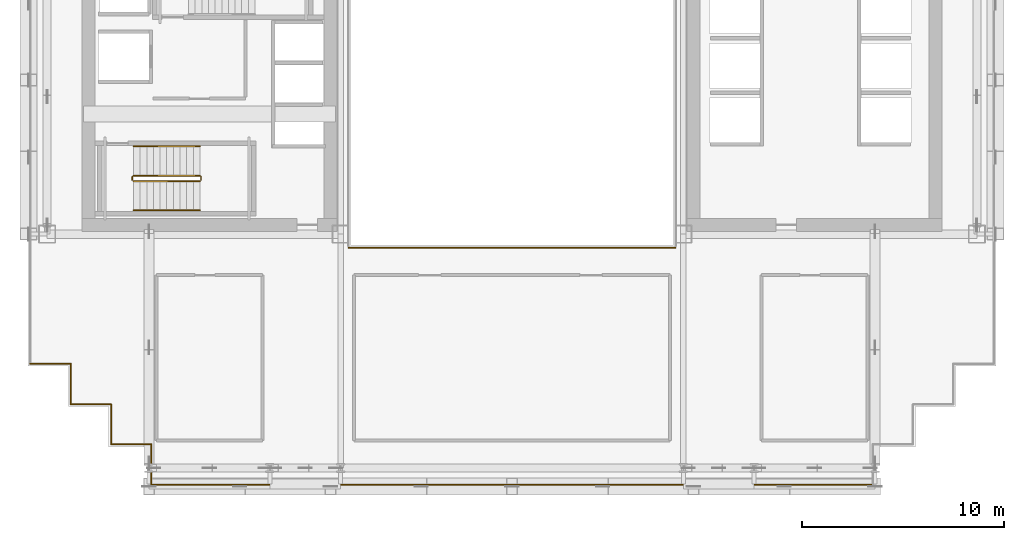
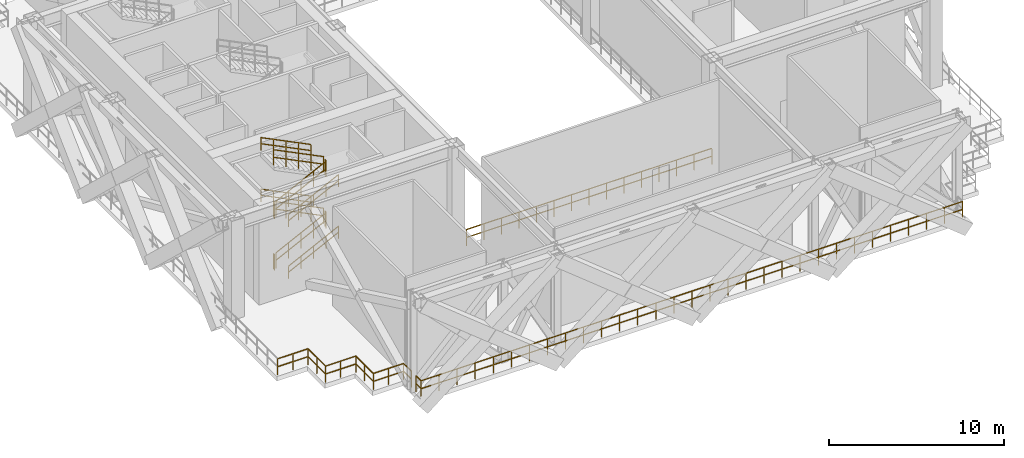
# One storey, part 10 of 14: 21 railings.
"""IFC4 building model written with IfcOpenShell, lengths in metres."""

from ifc_helpers import new_model, si_unit, direction, frame, origin, origin_2d, place, context, subcontext, project, spatial, rectangle, extrude, material, type_object, element, save


model = new_model("IFC4")

# Units and contexts
model_context = context("Model", 3, precision=1e-05, world=origin(), true_north=direction((0.0, 1.0)))
body_context = subcontext(model_context, "Body", "Model", "MODEL_VIEW")
ifc_project = project(units=[si_unit("LENGTHUNIT", "METRE"), si_unit("AREAUNIT", "SQUARE_METRE"), si_unit("VOLUMEUNIT", "CUBIC_METRE"), si_unit("PLANEANGLEUNIT", "RADIAN"), si_unit("MASSUNIT", "GRAM", prefix="KILO")], contexts=[model_context])

# Site, building, storey
site_placement = place(None, origin())
site = spatial("IfcSite", under=ifc_project, at=site_placement, CompositionType="ELEMENT")
building_placement = place(site_placement, origin())
building = spatial("IfcBuilding", under=site, at=building_placement, Name="Ocotamira Hotel", CompositionType="ELEMENT")
storey_placement = place(building_placement, frame((0.0, 0.0, 85.199951171875)))
storey = spatial("IfcBuildingStorey", under=building, at=storey_placement, Name="L21", CompositionType="ELEMENT", Elevation=85.199951171875)

# Railings
ifc_material_1 = material(Name="Painted steel stair guardrail", Category="steel")
railing_type_1 = type_object("IfcRailingType", Name="RL-EDGE-1150", PredefinedType="GUARDRAIL", material=ifc_material_1)
railing_1_placement = place(storey_placement, frame((23.89990234375, 13.8798828125, 0.0)))
element("IfcRailing", 1, at=railing_1_placement, inside=storey, type_object=railing_type_1, Name="L21 Central Atrium Edge Guardrail S", PredefinedType="GUARDRAIL", context=body_context, shape_type="SweptSolid", body=[
    extrude(rectangle(XDim=0.048095703125, YDim=0.048095703125, at=origin_2d()), frame((0.0, 0.0, 1.1259765625), z_axis=(1.0, 0.0, 0.0), x_axis=(0.0, 1.0, 0.0)), (0.0, 0.0, 1.0), 16.2001953125),
    extrude(rectangle(XDim=0.048095703125, YDim=0.048095703125, at=origin_2d()), frame((0.0, 0.0, 0.574951171875), z_axis=(1.0, 0.0, 0.0), x_axis=(0.0, 1.0, 0.0)), (0.0, 0.0, 1.0), 16.2001953125),
    extrude(rectangle(XDim=0.0419921875, YDim=0.0419921875, at=origin_2d()), origin(), (0.0, 0.0, 1.0), 1.101806640625),
    extrude(rectangle(XDim=0.0419921875, YDim=0.0419921875, at=origin_2d()), frame((1.1572265625, 0.0, 0.0)), (0.0, 0.0, 1.0), 1.101806640625),
    extrude(rectangle(XDim=0.0419921875, YDim=0.0419921875, at=origin_2d()), frame((2.314208984375, 0.0, 0.0)), (0.0, 0.0, 1.0), 1.101806640625),
    extrude(rectangle(XDim=0.0419921875, YDim=0.0419921875, at=origin_2d()), frame((3.471435546875, 0.0, 0.0)), (0.0, 0.0, 1.0), 1.101806640625),
    extrude(rectangle(XDim=0.0419921875, YDim=0.0419921875, at=origin_2d()), frame((4.628662109375, 0.0, 0.0)), (0.0, 0.0, 1.0), 1.101806640625),
    extrude(rectangle(XDim=0.0419921875, YDim=0.0419921875, at=origin_2d()), frame((5.785888671875, 0.0, 0.0)), (0.0, 0.0, 1.0), 1.101806640625),
    extrude(rectangle(XDim=0.0419921875, YDim=0.0419921875, at=origin_2d()), frame((6.94287109375, 0.0, 0.0)), (0.0, 0.0, 1.0), 1.101806640625),
    extrude(rectangle(XDim=0.0419921875, YDim=0.0419921875, at=origin_2d()), frame((8.10009765625, 0.0, 0.0)), (0.0, 0.0, 1.0), 1.101806640625),
    extrude(rectangle(XDim=0.0419921875, YDim=0.0419921875, at=origin_2d()), frame((9.25732421875, 0.0, 0.0)), (0.0, 0.0, 1.0), 1.101806640625),
    extrude(rectangle(XDim=0.0419921875, YDim=0.0419921875, at=origin_2d()), frame((10.414306640625, 0.0, 0.0)), (0.0, 0.0, 1.0), 1.101806640625),
    extrude(rectangle(XDim=0.0419921875, YDim=0.0419921875, at=origin_2d()), frame((11.571533203125, 0.0, 0.0)), (0.0, 0.0, 1.0), 1.101806640625),
    extrude(rectangle(XDim=0.0419921875, YDim=0.0419921875, at=origin_2d()), frame((12.728759765625, 0.0, 0.0)), (0.0, 0.0, 1.0), 1.101806640625),
    extrude(rectangle(XDim=0.0419921875, YDim=0.0419921875, at=origin_2d()), frame((13.885986328125, 0.0, 0.0)), (0.0, 0.0, 1.0), 1.101806640625),
    extrude(rectangle(XDim=0.0419921875, YDim=0.0419921875, at=origin_2d()), frame((15.04296875, 0.0, 0.0)), (0.0, 0.0, 1.0), 1.101806640625),
    extrude(rectangle(XDim=0.0419921875, YDim=0.0419921875, at=origin_2d()), frame((16.2001953125, 0.0, 0.0)), (0.0, 0.0, 1.0), 1.101806640625),
])
ifc_material_2 = material(Name="Brushed stainless steel handrail", Category="steel")
railing_type_2 = type_object("IfcRailingType", Name="RL-HAND-900", PredefinedType="HANDRAIL", material=ifc_material_2)
railing_2_placement = place(storey_placement, frame((13.22998046875, 15.719970703125, 0.327392578125)))
element("IfcRailing", 2, at=railing_2_placement, inside=storey, type_object=railing_type_2, Name="L21 ST-1 stair handrail 1", PredefinedType="HANDRAIL", context=body_context, shape_type="SweptSolid", body=[
    extrude(rectangle(XDim=0.048095703125, YDim=0.048095703125, at=origin_2d()), frame((0.0, 0.0, 0.8759765625), z_axis=(0.895920123917, 0.0, 0.444215186098), x_axis=(0.0, 1.0, 0.0)), (0.0, 0.0, 1.0), 3.683349609375),
    extrude(rectangle(XDim=0.048095703125, YDim=0.048095703125, at=origin_2d()), frame((0.0, 0.0, 0.449951171875), z_axis=(0.895920123917, 0.0, 0.444215186098), x_axis=(0.0, 1.0, 0.0)), (0.0, 0.0, 1.0), 3.683349609375),
    extrude(rectangle(XDim=0.0419921875, YDim=0.0419921875, at=origin_2d()), origin(), (0.0, 0.0, 1.0), 0.851806640625),
    extrude(rectangle(XDim=0.0419921875, YDim=0.0419921875, at=origin_2d()), frame((0.824951171875, 0.0, 0.4091796875)), (0.0, 0.0, 1.0), 0.851806640625),
    extrude(rectangle(XDim=0.0419921875, YDim=0.0419921875, at=origin_2d()), frame((1.64990234375, 0.0, 0.818115234375)), (0.0, 0.0, 1.0), 0.851806640625),
    extrude(rectangle(XDim=0.0419921875, YDim=0.0419921875, at=origin_2d()), frame((2.47509765625, 0.0, 1.22705078125)), (0.0, 0.0, 1.0), 0.851806640625),
    extrude(rectangle(XDim=0.0419921875, YDim=0.0419921875, at=origin_2d()), frame((3.300048828125, 0.0, 1.63623046875)), (0.0, 0.0, 1.0), 0.851806640625),
])
railing_3_placement = place(storey_placement, frame((16.530029296875, 18.89990234375, 2.12744140625)))
element("IfcRailing", 3, at=railing_3_placement, inside=storey, type_object=railing_type_2, Name="L21 ST-1 stair handrail 2", PredefinedType="HANDRAIL", context=body_context, shape_type="SweptSolid", body=[
    extrude(rectangle(XDim=0.048095703125, YDim=0.048095703125, at=origin_2d()), frame((0.0, 0.0, 0.8759765625), z_axis=(-0.895920123917, 0.0, 0.444215186098), x_axis=(0.0, -1.0, 0.0)), (0.0, 0.0, 1.0), 3.683349609375),
    extrude(rectangle(XDim=0.048095703125, YDim=0.048095703125, at=origin_2d()), frame((0.0, 0.0, 0.449951171875), z_axis=(-0.895920123917, 0.0, 0.444215186098), x_axis=(0.0, -1.0, 0.0)), (0.0, 0.0, 1.0), 3.683349609375),
    extrude(rectangle(XDim=0.0419921875, YDim=0.0419921875, at=origin_2d()), origin(), (0.0, 0.0, 1.0), 0.851806640625),
    extrude(rectangle(XDim=0.0419921875, YDim=0.0419921875, at=origin_2d()), frame((-0.824951171875, 0.0, 0.4091796875)), (0.0, 0.0, 1.0), 0.851806640625),
    extrude(rectangle(XDim=0.0419921875, YDim=0.0419921875, at=origin_2d()), frame((-1.64990234375, 0.0, 0.818115234375)), (0.0, 0.0, 1.0), 0.851806640625),
    extrude(rectangle(XDim=0.0419921875, YDim=0.0419921875, at=origin_2d()), frame((-2.47509765625, 0.0, 1.22705078125)), (0.0, 0.0, 1.0), 0.851806640625),
    extrude(rectangle(XDim=0.0419921875, YDim=0.0419921875, at=origin_2d()), frame((-3.300048828125, 0.0, 1.63623046875)), (0.0, 0.0, 1.0), 0.851806640625),
])
railing_4_placement = place(storey_placement, frame((13.22998046875, 15.719970703125, 3.92724609375)))
element("IfcRailing", 4, at=railing_4_placement, inside=storey, type_object=railing_type_2, Name="L21 ST-1 stair handrail 3", PredefinedType="HANDRAIL", context=body_context, shape_type="SweptSolid", body=[
    extrude(rectangle(XDim=0.048095703125, YDim=0.048095703125, at=origin_2d()), frame((0.0, 0.0, 0.8759765625), z_axis=(0.895893744519, 0.0, 0.4442683857), x_axis=(0.0, 1.0, 0.0)), (0.0, 0.0, 1.0), 3.68359375),
    extrude(rectangle(XDim=0.048095703125, YDim=0.048095703125, at=origin_2d()), frame((0.0, 0.0, 0.449951171875), z_axis=(0.895893744519, 0.0, 0.4442683857), x_axis=(0.0, 1.0, 0.0)), (0.0, 0.0, 1.0), 3.68359375),
    extrude(rectangle(XDim=0.0419921875, YDim=0.0419921875, at=origin_2d()), origin(), (0.0, 0.0, 1.0), 0.851806640625),
    extrude(rectangle(XDim=0.0419921875, YDim=0.0419921875, at=origin_2d()), frame((0.824951171875, 0.0, 0.4091796875)), (0.0, 0.0, 1.0), 0.851806640625),
    extrude(rectangle(XDim=0.0419921875, YDim=0.0419921875, at=origin_2d()), frame((1.64990234375, 0.0, 0.818359375)), (0.0, 0.0, 1.0), 0.851806640625),
    extrude(rectangle(XDim=0.0419921875, YDim=0.0419921875, at=origin_2d()), frame((2.47509765625, 0.0, 1.227294921875)), (0.0, 0.0, 1.0), 0.851806640625),
    extrude(rectangle(XDim=0.0419921875, YDim=0.0419921875, at=origin_2d()), frame((3.300048828125, 0.0, 1.636474609375)), (0.0, 0.0, 1.0), 0.851806640625),
])
railing_5_placement = place(storey_placement, frame((16.530029296875, 18.89990234375, 5.727294921875)))
element("IfcRailing", 5, at=railing_5_placement, inside=storey, type_object=railing_type_2, Name="L21 ST-1 stair handrail 4", PredefinedType="HANDRAIL", context=body_context, shape_type="SweptSolid", body=[
    extrude(rectangle(XDim=0.048095703125, YDim=0.048095703125, at=origin_2d()), frame((0.0, 0.0, 0.8759765625), z_axis=(-0.895893744519, 0.0, 0.4442683857), x_axis=(0.0, -1.0, 0.0)), (0.0, 0.0, 1.0), 3.68359375),
    extrude(rectangle(XDim=0.048095703125, YDim=0.048095703125, at=origin_2d()), frame((0.0, 0.0, 0.449951171875), z_axis=(-0.895893744519, 0.0, 0.4442683857), x_axis=(0.0, -1.0, 0.0)), (0.0, 0.0, 1.0), 3.68359375),
    extrude(rectangle(XDim=0.0419921875, YDim=0.0419921875, at=origin_2d()), origin(), (0.0, 0.0, 1.0), 0.851806640625),
    extrude(rectangle(XDim=0.0419921875, YDim=0.0419921875, at=origin_2d()), frame((-0.824951171875, 0.0, 0.4091796875)), (0.0, 0.0, 1.0), 0.851806640625),
    extrude(rectangle(XDim=0.0419921875, YDim=0.0419921875, at=origin_2d()), frame((-1.64990234375, 0.0, 0.818359375)), (0.0, 0.0, 1.0), 0.851806640625),
    extrude(rectangle(XDim=0.0419921875, YDim=0.0419921875, at=origin_2d()), frame((-2.47509765625, 0.0, 1.227294921875)), (0.0, 0.0, 1.0), 0.851806640625),
    extrude(rectangle(XDim=0.0419921875, YDim=0.0419921875, at=origin_2d()), frame((-3.300048828125, 0.0, 1.636474609375)), (0.0, 0.0, 1.0), 0.851806640625),
])
ifc_material_3 = material(Name="Pale-metal stainless steel guardrail", Category="steel")
railing_type_3 = type_object("IfcRailingType", Name="RL-PERIM-1150", PredefinedType="GUARDRAIL", material=ifc_material_3)
railing_6_placement = place(storey_placement, frame((14.1201171875, 2.1201171875, 0.0)))
element("IfcRailing", 6, at=railing_6_placement, inside=storey, type_object=railing_type_3, Name="L21 Perimeter Guardrail WSLOT1-01", PredefinedType="GUARDRAIL", context=body_context, shape_type="SweptSolid", body=[
    extrude(rectangle(XDim=0.048095703125, YDim=0.048095703125, at=origin_2d()), frame((0.0, 0.0, 1.1259765625), z_axis=(0.0, 1.0, 0.0), x_axis=(-1.0, 0.0, 0.0)), (0.0, 0.0, 1.0), 0.577392578125),
    extrude(rectangle(XDim=0.048095703125, YDim=0.048095703125, at=origin_2d()), frame((0.0, 0.0, 0.574951171875), z_axis=(0.0, 1.0, 0.0), x_axis=(-1.0, 0.0, 0.0)), (0.0, 0.0, 1.0), 0.577392578125),
    extrude(rectangle(XDim=0.0419921875, YDim=0.0419921875, at=origin_2d()), origin(), (0.0, 0.0, 1.0), 1.101806640625),
    extrude(rectangle(XDim=0.0419921875, YDim=0.0419921875, at=origin_2d()), frame((0.0, 0.577392578125, 0.0)), (0.0, 0.0, 1.0), 1.101806640625),
])
railing_7_placement = place(storey_placement, frame((14.1201171875, 3.202392578125, 0.0)))
element("IfcRailing", 7, at=railing_7_placement, inside=storey, type_object=railing_type_3, Name="L21 Perimeter Guardrail WSLOT1-02", PredefinedType="GUARDRAIL", context=body_context, shape_type="SweptSolid", body=[
    extrude(rectangle(XDim=0.048095703125, YDim=0.048095703125, at=origin_2d()), frame((0.0, 0.0, 1.1259765625), z_axis=(0.0, 1.0, 0.0), x_axis=(-1.0, 0.0, 0.0)), (0.0, 0.0, 1.0), 0.917724609375),
    extrude(rectangle(XDim=0.048095703125, YDim=0.048095703125, at=origin_2d()), frame((0.0, 0.0, 0.574951171875), z_axis=(0.0, 1.0, 0.0), x_axis=(-1.0, 0.0, 0.0)), (0.0, 0.0, 1.0), 0.917724609375),
    extrude(rectangle(XDim=0.0419921875, YDim=0.0419921875, at=origin_2d()), origin(), (0.0, 0.0, 1.0), 1.101806640625),
    extrude(rectangle(XDim=0.0419921875, YDim=0.0419921875, at=origin_2d()), frame((0.0, 0.917724609375, 0.0)), (0.0, 0.0, 1.0), 1.101806640625),
])
railing_8_placement = place(storey_placement, frame((14.1201171875, 4.1201171875, 0.0)))
element("IfcRailing", 8, at=railing_8_placement, inside=storey, type_object=railing_type_3, Name="L21 Perimeter Guardrail WSLOT1-03", PredefinedType="GUARDRAIL", context=body_context, shape_type="SweptSolid", body=[
    extrude(rectangle(XDim=0.048095703125, YDim=0.048095703125, at=origin_2d()), frame((0.0, 0.0, 1.1259765625), z_axis=(-1.0, 0.0, 0.0), x_axis=(0.0, -1.0, 0.0)), (0.0, 0.0, 1.0), 2.0),
    extrude(rectangle(XDim=0.048095703125, YDim=0.048095703125, at=origin_2d()), frame((0.0, 0.0, 0.574951171875), z_axis=(-1.0, 0.0, 0.0), x_axis=(0.0, -1.0, 0.0)), (0.0, 0.0, 1.0), 2.0),
    extrude(rectangle(XDim=0.0419921875, YDim=0.0419921875, at=origin_2d()), origin(), (0.0, 0.0, 1.0), 1.101806640625),
    extrude(rectangle(XDim=0.0419921875, YDim=0.0419921875, at=origin_2d()), frame((-1.0, 0.0, 0.0)), (0.0, 0.0, 1.0), 1.101806640625),
    extrude(rectangle(XDim=0.0419921875, YDim=0.0419921875, at=origin_2d()), frame((-2.0, 0.0, 0.0)), (0.0, 0.0, 1.0), 1.101806640625),
])
railing_9_placement = place(storey_placement, frame((12.1201171875, 4.1201171875, 0.0)))
element("IfcRailing", 9, at=railing_9_placement, inside=storey, type_object=railing_type_3, Name="L21 Perimeter Guardrail WSLOT1-04", PredefinedType="GUARDRAIL", context=body_context, shape_type="SweptSolid", body=[
    extrude(rectangle(XDim=0.048095703125, YDim=0.048095703125, at=origin_2d()), frame((0.0, 0.0, 1.1259765625), z_axis=(0.0, 1.0, 0.0), x_axis=(-1.0, 0.0, 0.0)), (0.0, 0.0, 1.0), 2.0),
    extrude(rectangle(XDim=0.048095703125, YDim=0.048095703125, at=origin_2d()), frame((0.0, 0.0, 0.574951171875), z_axis=(0.0, 1.0, 0.0), x_axis=(-1.0, 0.0, 0.0)), (0.0, 0.0, 1.0), 2.0),
    extrude(rectangle(XDim=0.0419921875, YDim=0.0419921875, at=origin_2d()), origin(), (0.0, 0.0, 1.0), 1.101806640625),
    extrude(rectangle(XDim=0.0419921875, YDim=0.0419921875, at=origin_2d()), frame((0.0, 1.0, 0.0)), (0.0, 0.0, 1.0), 1.101806640625),
    extrude(rectangle(XDim=0.0419921875, YDim=0.0419921875, at=origin_2d()), frame((0.0, 2.0, 0.0)), (0.0, 0.0, 1.0), 1.101806640625),
])
railing_10_placement = place(storey_placement, frame((12.1201171875, 6.1201171875, 0.0)))
element("IfcRailing", 10, at=railing_10_placement, inside=storey, type_object=railing_type_3, Name="L21 Perimeter Guardrail WSLOT1-05", PredefinedType="GUARDRAIL", context=body_context, shape_type="SweptSolid", body=[
    extrude(rectangle(XDim=0.048095703125, YDim=0.048095703125, at=origin_2d()), frame((0.0, 0.0, 1.1259765625), z_axis=(-1.0, 0.0, 0.0), x_axis=(0.0, -1.0, 0.0)), (0.0, 0.0, 1.0), 2.0),
    extrude(rectangle(XDim=0.048095703125, YDim=0.048095703125, at=origin_2d()), frame((0.0, 0.0, 0.574951171875), z_axis=(-1.0, 0.0, 0.0), x_axis=(0.0, -1.0, 0.0)), (0.0, 0.0, 1.0), 2.0),
    extrude(rectangle(XDim=0.0419921875, YDim=0.0419921875, at=origin_2d()), origin(), (0.0, 0.0, 1.0), 1.101806640625),
    extrude(rectangle(XDim=0.0419921875, YDim=0.0419921875, at=origin_2d()), frame((-1.0, 0.0, 0.0)), (0.0, 0.0, 1.0), 1.101806640625),
    extrude(rectangle(XDim=0.0419921875, YDim=0.0419921875, at=origin_2d()), frame((-2.0, 0.0, 0.0)), (0.0, 0.0, 1.0), 1.101806640625),
])
railing_11_placement = place(storey_placement, frame((10.1201171875, 6.1201171875, 0.0)))
element("IfcRailing", 11, at=railing_11_placement, inside=storey, type_object=railing_type_3, Name="L21 Perimeter Guardrail WSLOT1-06", PredefinedType="GUARDRAIL", context=body_context, shape_type="SweptSolid", body=[
    extrude(rectangle(XDim=0.048095703125, YDim=0.048095703125, at=origin_2d()), frame((0.0, 0.0, 1.1259765625), z_axis=(0.0, 1.0, 0.0), x_axis=(-1.0, 0.0, 0.0)), (0.0, 0.0, 1.0), 2.0),
    extrude(rectangle(XDim=0.048095703125, YDim=0.048095703125, at=origin_2d()), frame((0.0, 0.0, 0.574951171875), z_axis=(0.0, 1.0, 0.0), x_axis=(-1.0, 0.0, 0.0)), (0.0, 0.0, 1.0), 2.0),
    extrude(rectangle(XDim=0.0419921875, YDim=0.0419921875, at=origin_2d()), origin(), (0.0, 0.0, 1.0), 1.101806640625),
    extrude(rectangle(XDim=0.0419921875, YDim=0.0419921875, at=origin_2d()), frame((0.0, 1.0, 0.0)), (0.0, 0.0, 1.0), 1.101806640625),
    extrude(rectangle(XDim=0.0419921875, YDim=0.0419921875, at=origin_2d()), frame((0.0, 2.0, 0.0)), (0.0, 0.0, 1.0), 1.101806640625),
])
railing_12_placement = place(storey_placement, frame((10.1201171875, 8.1201171875, 0.0)))
element("IfcRailing", 12, at=railing_12_placement, inside=storey, type_object=railing_type_3, Name="L21 Perimeter Guardrail WSLOT1-07", PredefinedType="GUARDRAIL", context=body_context, shape_type="SweptSolid", body=[
    extrude(rectangle(XDim=0.048095703125, YDim=0.048095703125, at=origin_2d()), frame((0.0, 0.0, 1.1259765625), z_axis=(-1.0, 0.0, 0.0), x_axis=(0.0, -1.0, 0.0)), (0.0, 0.0, 1.0), 2.0),
    extrude(rectangle(XDim=0.048095703125, YDim=0.048095703125, at=origin_2d()), frame((0.0, 0.0, 0.574951171875), z_axis=(-1.0, 0.0, 0.0), x_axis=(0.0, -1.0, 0.0)), (0.0, 0.0, 1.0), 2.0),
    extrude(rectangle(XDim=0.0419921875, YDim=0.0419921875, at=origin_2d()), origin(), (0.0, 0.0, 1.0), 1.101806640625),
    extrude(rectangle(XDim=0.0419921875, YDim=0.0419921875, at=origin_2d()), frame((-1.0, 0.0, 0.0)), (0.0, 0.0, 1.0), 1.101806640625),
    extrude(rectangle(XDim=0.0419921875, YDim=0.0419921875, at=origin_2d()), frame((-2.0, 0.0, 0.0)), (0.0, 0.0, 1.0), 1.101806640625),
])
railing_13_placement = place(storey_placement, frame((49.8798828125, 2.1201171875, 0.0)))
element("IfcRailing", 13, at=railing_13_placement, inside=storey, type_object=railing_type_3, Name="L21 Perimeter Guardrail WSLOT1-32", PredefinedType="GUARDRAIL", context=body_context, shape_type="SweptSolid", body=[
    extrude(rectangle(XDim=0.048095703125, YDim=0.048095703125, at=origin_2d()), frame((0.0, 0.0, 1.1259765625), z_axis=(-1.0, 0.0, 0.0), x_axis=(0.0, -1.0, 0.0)), (0.0, 0.0, 1.0), 35.759765625),
    extrude(rectangle(XDim=0.048095703125, YDim=0.048095703125, at=origin_2d()), frame((0.0, 0.0, 0.574951171875), z_axis=(-1.0, 0.0, 0.0), x_axis=(0.0, -1.0, 0.0)), (0.0, 0.0, 1.0), 35.759765625),
    extrude(rectangle(XDim=0.0419921875, YDim=0.0419921875, at=origin_2d()), origin(), (0.0, 0.0, 1.0), 1.101806640625),
    extrude(rectangle(XDim=0.0419921875, YDim=0.0419921875, at=origin_2d()), frame((-1.19189453125, 0.0, 0.0)), (0.0, 0.0, 1.0), 1.101806640625),
    extrude(rectangle(XDim=0.0419921875, YDim=0.0419921875, at=origin_2d()), frame((-2.384033203125, 0.0, 0.0)), (0.0, 0.0, 1.0), 1.101806640625),
    extrude(rectangle(XDim=0.0419921875, YDim=0.0419921875, at=origin_2d()), frame((-3.575927734375, 0.0, 0.0)), (0.0, 0.0, 1.0), 1.101806640625),
    extrude(rectangle(XDim=0.0419921875, YDim=0.0419921875, at=origin_2d()), frame((-4.76806640625, 0.0, 0.0)), (0.0, 0.0, 1.0), 1.101806640625),
    extrude(rectangle(XDim=0.0419921875, YDim=0.0419921875, at=origin_2d()), frame((-5.9599609375, 0.0, 0.0)), (0.0, 0.0, 1.0), 1.101806640625),
    extrude(rectangle(XDim=0.0419921875, YDim=0.0419921875, at=origin_2d()), frame((-7.15185546875, 0.0, 0.0)), (0.0, 0.0, 1.0), 1.101806640625),
    extrude(rectangle(XDim=0.0419921875, YDim=0.0419921875, at=origin_2d()), frame((-8.343994140625, 0.0, 0.0)), (0.0, 0.0, 1.0), 1.101806640625),
    extrude(rectangle(XDim=0.0419921875, YDim=0.0419921875, at=origin_2d()), frame((-9.535888671875, 0.0, 0.0)), (0.0, 0.0, 1.0), 1.101806640625),
    extrude(rectangle(XDim=0.0419921875, YDim=0.0419921875, at=origin_2d()), frame((-10.72802734375, 0.0, 0.0)), (0.0, 0.0, 1.0), 1.101806640625),
    extrude(rectangle(XDim=0.0419921875, YDim=0.0419921875, at=origin_2d()), frame((-11.919921875, 0.0, 0.0)), (0.0, 0.0, 1.0), 1.101806640625),
    extrude(rectangle(XDim=0.0419921875, YDim=0.0419921875, at=origin_2d()), frame((-13.11181640625, 0.0, 0.0)), (0.0, 0.0, 1.0), 1.101806640625),
    extrude(rectangle(XDim=0.0419921875, YDim=0.0419921875, at=origin_2d()), frame((-14.303955078125, 0.0, 0.0)), (0.0, 0.0, 1.0), 1.101806640625),
    extrude(rectangle(XDim=0.0419921875, YDim=0.0419921875, at=origin_2d()), frame((-15.495849609375, 0.0, 0.0)), (0.0, 0.0, 1.0), 1.101806640625),
    extrude(rectangle(XDim=0.0419921875, YDim=0.0419921875, at=origin_2d()), frame((-16.68798828125, 0.0, 0.0)), (0.0, 0.0, 1.0), 1.101806640625),
    extrude(rectangle(XDim=0.0419921875, YDim=0.0419921875, at=origin_2d()), frame((-17.8798828125, 0.0, 0.0)), (0.0, 0.0, 1.0), 1.101806640625),
    extrude(rectangle(XDim=0.0419921875, YDim=0.0419921875, at=origin_2d()), frame((-19.07177734375, 0.0, 0.0)), (0.0, 0.0, 1.0), 1.101806640625),
    extrude(rectangle(XDim=0.0419921875, YDim=0.0419921875, at=origin_2d()), frame((-20.263916015625, 0.0, 0.0)), (0.0, 0.0, 1.0), 1.101806640625),
    extrude(rectangle(XDim=0.0419921875, YDim=0.0419921875, at=origin_2d()), frame((-21.455810546875, 0.0, 0.0)), (0.0, 0.0, 1.0), 1.101806640625),
    extrude(rectangle(XDim=0.0419921875, YDim=0.0419921875, at=origin_2d()), frame((-22.64794921875, 0.0, 0.0)), (0.0, 0.0, 1.0), 1.101806640625),
    extrude(rectangle(XDim=0.0419921875, YDim=0.0419921875, at=origin_2d()), frame((-23.83984375, 0.0, 0.0)), (0.0, 0.0, 1.0), 1.101806640625),
    extrude(rectangle(XDim=0.0419921875, YDim=0.0419921875, at=origin_2d()), frame((-25.03173828125, 0.0, 0.0)), (0.0, 0.0, 1.0), 1.101806640625),
    extrude(rectangle(XDim=0.0419921875, YDim=0.0419921875, at=origin_2d()), frame((-26.223876953125, 0.0, 0.0)), (0.0, 0.0, 1.0), 1.101806640625),
    extrude(rectangle(XDim=0.0419921875, YDim=0.0419921875, at=origin_2d()), frame((-27.415771484375, 0.0, 0.0)), (0.0, 0.0, 1.0), 1.101806640625),
    extrude(rectangle(XDim=0.0419921875, YDim=0.0419921875, at=origin_2d()), frame((-28.60791015625, 0.0, 0.0)), (0.0, 0.0, 1.0), 1.101806640625),
    extrude(rectangle(XDim=0.0419921875, YDim=0.0419921875, at=origin_2d()), frame((-29.7998046875, 0.0, 0.0)), (0.0, 0.0, 1.0), 1.101806640625),
    extrude(rectangle(XDim=0.0419921875, YDim=0.0419921875, at=origin_2d()), frame((-30.99169921875, 0.0, 0.0)), (0.0, 0.0, 1.0), 1.101806640625),
    extrude(rectangle(XDim=0.0419921875, YDim=0.0419921875, at=origin_2d()), frame((-32.183837890625, 0.0, 0.0)), (0.0, 0.0, 1.0), 1.101806640625),
    extrude(rectangle(XDim=0.0419921875, YDim=0.0419921875, at=origin_2d()), frame((-33.375732421875, 0.0, 0.0)), (0.0, 0.0, 1.0), 1.101806640625),
    extrude(rectangle(XDim=0.0419921875, YDim=0.0419921875, at=origin_2d()), frame((-34.56787109375, 0.0, 0.0)), (0.0, 0.0, 1.0), 1.101806640625),
    extrude(rectangle(XDim=0.0419921875, YDim=0.0419921875, at=origin_2d()), frame((-35.759765625, 0.0, 0.0)), (0.0, 0.0, 1.0), 1.101806640625),
])
railing_type_4 = type_object("IfcRailingType", Name="RL-STAIR-1100", PredefinedType="GUARDRAIL", material=ifc_material_1)
railing_14_placement = place(storey_placement, frame((13.22998046875, 17.179931640625, 0.16357421875)))
element("IfcRailing", 14, at=railing_14_placement, inside=storey, type_object=railing_type_4, Name="L21 ST-1 stair guard 1", PredefinedType="GUARDRAIL", context=body_context, shape_type="SweptSolid", body=[
    extrude(rectangle(XDim=0.048095703125, YDim=0.048095703125, at=origin_2d()), frame((0.0, 0.0, 1.076171875), z_axis=(0.895893744519, 0.0, 0.4442683857), x_axis=(0.0, 1.0, 0.0)), (0.0, 0.0, 1.0), 3.68359375),
    extrude(rectangle(XDim=0.048095703125, YDim=0.048095703125, at=origin_2d()), frame((0.0, 0.0, 0.550048828125), z_axis=(0.895893744519, 0.0, 0.4442683857), x_axis=(0.0, 1.0, 0.0)), (0.0, 0.0, 1.0), 3.68359375),
    extrude(rectangle(XDim=0.0419921875, YDim=0.0419921875, at=origin_2d()), origin(), (0.0, 0.0, 1.0), 1.052001953125),
    extrude(rectangle(XDim=0.0419921875, YDim=0.0419921875, at=origin_2d()), frame((0.824951171875, 0.0, 0.4091796875)), (0.0, 0.0, 1.0), 1.052001953125),
    extrude(rectangle(XDim=0.0419921875, YDim=0.0419921875, at=origin_2d()), frame((1.64990234375, 0.0, 0.818359375)), (0.0, 0.0, 1.0), 1.052001953125),
    extrude(rectangle(XDim=0.0419921875, YDim=0.0419921875, at=origin_2d()), frame((2.47509765625, 0.0, 1.227294921875)), (0.0, 0.0, 1.0), 1.052001953125),
    extrude(rectangle(XDim=0.0419921875, YDim=0.0419921875, at=origin_2d()), frame((3.300048828125, 0.0, 1.636474609375)), (0.0, 0.0, 1.0), 1.052001953125),
])
railing_15_placement = place(storey_placement, frame((16.580078125, 17.22998046875, 1.800048828125)))
element("IfcRailing", 15, at=railing_15_placement, inside=storey, type_object=railing_type_4, Name="L21 ST-1 stair guard 2", PredefinedType="GUARDRAIL", context=body_context, shape_type="SweptSolid", body=[
    extrude(rectangle(XDim=0.048095703125, YDim=0.048095703125, at=origin_2d()), frame((0.0, 0.0, 1.076171875), z_axis=(0.0, 1.0, 0.0), x_axis=(-1.0, 0.0, 0.0)), (0.0, 0.0, 1.0), 0.159912109375),
    extrude(rectangle(XDim=0.048095703125, YDim=0.048095703125, at=origin_2d()), frame((0.0, 0.0, 0.550048828125), z_axis=(0.0, 1.0, 0.0), x_axis=(-1.0, 0.0, 0.0)), (0.0, 0.0, 1.0), 0.159912109375),
    extrude(rectangle(XDim=0.0419921875, YDim=0.0419921875, at=origin_2d()), origin(), (0.0, 0.0, 1.0), 1.052001953125),
    extrude(rectangle(XDim=0.0419921875, YDim=0.0419921875, at=origin_2d()), frame((0.0, 0.159912109375, 0.0)), (0.0, 0.0, 1.0), 1.052001953125),
])
railing_16_placement = place(storey_placement, frame((16.530029296875, 17.43994140625, 1.963623046875)))
element("IfcRailing", 16, at=railing_16_placement, inside=storey, type_object=railing_type_4, Name="L21 ST-1 stair guard 3", PredefinedType="GUARDRAIL", context=body_context, shape_type="SweptSolid", body=[
    extrude(rectangle(XDim=0.048095703125, YDim=0.048095703125, at=origin_2d()), frame((0.0, 0.0, 1.076171875), z_axis=(-0.895893744519, 0.0, 0.4442683857), x_axis=(0.0, -1.0, 0.0)), (0.0, 0.0, 1.0), 3.68359375),
    extrude(rectangle(XDim=0.048095703125, YDim=0.048095703125, at=origin_2d()), frame((0.0, 0.0, 0.550048828125), z_axis=(-0.895893744519, 0.0, 0.4442683857), x_axis=(0.0, -1.0, 0.0)), (0.0, 0.0, 1.0), 3.68359375),
    extrude(rectangle(XDim=0.0419921875, YDim=0.0419921875, at=origin_2d()), origin(), (0.0, 0.0, 1.0), 1.052001953125),
    extrude(rectangle(XDim=0.0419921875, YDim=0.0419921875, at=origin_2d()), frame((-0.824951171875, 0.0, 0.4091796875)), (0.0, 0.0, 1.0), 1.052001953125),
    extrude(rectangle(XDim=0.0419921875, YDim=0.0419921875, at=origin_2d()), frame((-1.64990234375, 0.0, 0.818359375)), (0.0, 0.0, 1.0), 1.052001953125),
    extrude(rectangle(XDim=0.0419921875, YDim=0.0419921875, at=origin_2d()), frame((-2.47509765625, 0.0, 1.227294921875)), (0.0, 0.0, 1.0), 1.052001953125),
    extrude(rectangle(XDim=0.0419921875, YDim=0.0419921875, at=origin_2d()), frame((-3.300048828125, 0.0, 1.636474609375)), (0.0, 0.0, 1.0), 1.052001953125),
])
railing_17_placement = place(storey_placement, frame((13.179931640625, 17.22998046875, 3.60009765625)))
element("IfcRailing", 17, at=railing_17_placement, inside=storey, type_object=railing_type_4, Name="L21 ST-1 stair guard 4", PredefinedType="GUARDRAIL", context=body_context, shape_type="SweptSolid", body=[
    extrude(rectangle(XDim=0.048095703125, YDim=0.048095703125, at=origin_2d()), frame((0.0, 0.0, 1.076171875), z_axis=(0.0, 1.0, 0.0), x_axis=(-1.0, 0.0, 0.0)), (0.0, 0.0, 1.0), 0.159912109375),
    extrude(rectangle(XDim=0.048095703125, YDim=0.048095703125, at=origin_2d()), frame((0.0, 0.0, 0.550048828125), z_axis=(0.0, 1.0, 0.0), x_axis=(-1.0, 0.0, 0.0)), (0.0, 0.0, 1.0), 0.159912109375),
    extrude(rectangle(XDim=0.0419921875, YDim=0.0419921875, at=origin_2d()), origin(), (0.0, 0.0, 1.0), 1.052001953125),
    extrude(rectangle(XDim=0.0419921875, YDim=0.0419921875, at=origin_2d()), frame((0.0, 0.159912109375, 0.0)), (0.0, 0.0, 1.0), 1.052001953125),
])
railing_18_placement = place(storey_placement, frame((13.22998046875, 17.179931640625, 3.763671875)))
element("IfcRailing", 18, at=railing_18_placement, inside=storey, type_object=railing_type_4, Name="L21 ST-1 stair guard 5", PredefinedType="GUARDRAIL", context=body_context, shape_type="SweptSolid", body=[
    extrude(rectangle(XDim=0.048095703125, YDim=0.048095703125, at=origin_2d()), frame((0.0, 0.0, 1.076171875), z_axis=(0.895893744519, 0.0, 0.4442683857), x_axis=(0.0, 1.0, 0.0)), (0.0, 0.0, 1.0), 3.68359375),
    extrude(rectangle(XDim=0.048095703125, YDim=0.048095703125, at=origin_2d()), frame((0.0, 0.0, 0.550048828125), z_axis=(0.895893744519, 0.0, 0.4442683857), x_axis=(0.0, 1.0, 0.0)), (0.0, 0.0, 1.0), 3.68359375),
    extrude(rectangle(XDim=0.0419921875, YDim=0.0419921875, at=origin_2d()), origin(), (0.0, 0.0, 1.0), 1.052001953125),
    extrude(rectangle(XDim=0.0419921875, YDim=0.0419921875, at=origin_2d()), frame((0.824951171875, 0.0, 0.4091796875)), (0.0, 0.0, 1.0), 1.052001953125),
    extrude(rectangle(XDim=0.0419921875, YDim=0.0419921875, at=origin_2d()), frame((1.64990234375, 0.0, 0.818359375)), (0.0, 0.0, 1.0), 1.052001953125),
    extrude(rectangle(XDim=0.0419921875, YDim=0.0419921875, at=origin_2d()), frame((2.47509765625, 0.0, 1.227294921875)), (0.0, 0.0, 1.0), 1.052001953125),
    extrude(rectangle(XDim=0.0419921875, YDim=0.0419921875, at=origin_2d()), frame((3.300048828125, 0.0, 1.636474609375)), (0.0, 0.0, 1.0), 1.052001953125),
])
railing_19_placement = place(storey_placement, frame((16.580078125, 17.22998046875, 5.400146484375)))
element("IfcRailing", 19, at=railing_19_placement, inside=storey, type_object=railing_type_4, Name="L21 ST-1 stair guard 6", PredefinedType="GUARDRAIL", context=body_context, shape_type="SweptSolid", body=[
    extrude(rectangle(XDim=0.048095703125, YDim=0.048095703125, at=origin_2d()), frame((0.0, 0.0, 1.076171875), z_axis=(0.0, 1.0, 0.0), x_axis=(-1.0, 0.0, 0.0)), (0.0, 0.0, 1.0), 0.159912109375),
    extrude(rectangle(XDim=0.048095703125, YDim=0.048095703125, at=origin_2d()), frame((0.0, 0.0, 0.550048828125), z_axis=(0.0, 1.0, 0.0), x_axis=(-1.0, 0.0, 0.0)), (0.0, 0.0, 1.0), 0.159912109375),
    extrude(rectangle(XDim=0.0419921875, YDim=0.0419921875, at=origin_2d()), origin(), (0.0, 0.0, 1.0), 1.052001953125),
    extrude(rectangle(XDim=0.0419921875, YDim=0.0419921875, at=origin_2d()), frame((0.0, 0.159912109375, 0.0)), (0.0, 0.0, 1.0), 1.052001953125),
])
railing_20_placement = place(storey_placement, frame((16.530029296875, 17.43994140625, 5.563720703125)))
element("IfcRailing", 20, at=railing_20_placement, inside=storey, type_object=railing_type_4, Name="L21 ST-1 stair guard 7", PredefinedType="GUARDRAIL", context=body_context, shape_type="SweptSolid", body=[
    extrude(rectangle(XDim=0.048095703125, YDim=0.048095703125, at=origin_2d()), frame((0.0, 0.0, 1.076171875), z_axis=(-0.895920123917, 0.0, 0.444215186098), x_axis=(0.0, -1.0, 0.0)), (0.0, 0.0, 1.0), 3.683349609375),
    extrude(rectangle(XDim=0.048095703125, YDim=0.048095703125, at=origin_2d()), frame((0.0, 0.0, 0.550048828125), z_axis=(-0.895920123917, 0.0, 0.444215186098), x_axis=(0.0, -1.0, 0.0)), (0.0, 0.0, 1.0), 3.683349609375),
    extrude(rectangle(XDim=0.0419921875, YDim=0.0419921875, at=origin_2d()), origin(), (0.0, 0.0, 1.0), 1.052001953125),
    extrude(rectangle(XDim=0.0419921875, YDim=0.0419921875, at=origin_2d()), frame((-0.824951171875, 0.0, 0.4091796875)), (0.0, 0.0, 1.0), 1.052001953125),
    extrude(rectangle(XDim=0.0419921875, YDim=0.0419921875, at=origin_2d()), frame((-1.64990234375, 0.0, 0.818115234375)), (0.0, 0.0, 1.0), 1.052001953125),
    extrude(rectangle(XDim=0.0419921875, YDim=0.0419921875, at=origin_2d()), frame((-2.47509765625, 0.0, 1.22705078125)), (0.0, 0.0, 1.0), 1.052001953125),
    extrude(rectangle(XDim=0.0419921875, YDim=0.0419921875, at=origin_2d()), frame((-3.300048828125, 0.0, 1.63623046875)), (0.0, 0.0, 1.0), 1.052001953125),
])
railing_21_placement = place(storey_placement, frame((13.179931640625, 17.22998046875, 0.0)))
element("IfcRailing", 21, at=railing_21_placement, inside=storey, type_object=railing_type_4, Name="L21 ST-1 stair guard 8", PredefinedType="GUARDRAIL", context=body_context, shape_type="SweptSolid", body=[
    extrude(rectangle(XDim=0.048095703125, YDim=0.048095703125, at=origin_2d()), frame((0.0, 0.0, 1.076171875), z_axis=(0.0, 1.0, 0.0), x_axis=(-1.0, 0.0, 0.0)), (0.0, 0.0, 1.0), 0.159912109375),
    extrude(rectangle(XDim=0.048095703125, YDim=0.048095703125, at=origin_2d()), frame((0.0, 0.0, 0.550048828125), z_axis=(0.0, 1.0, 0.0), x_axis=(-1.0, 0.0, 0.0)), (0.0, 0.0, 1.0), 0.159912109375),
    extrude(rectangle(XDim=0.0419921875, YDim=0.0419921875, at=origin_2d()), origin(), (0.0, 0.0, 1.0), 1.052001953125),
    extrude(rectangle(XDim=0.0419921875, YDim=0.0419921875, at=origin_2d()), frame((0.0, 0.159912109375, 0.0)), (0.0, 0.0, 1.0), 1.052001953125),
])

save(model, "model.ifc")
